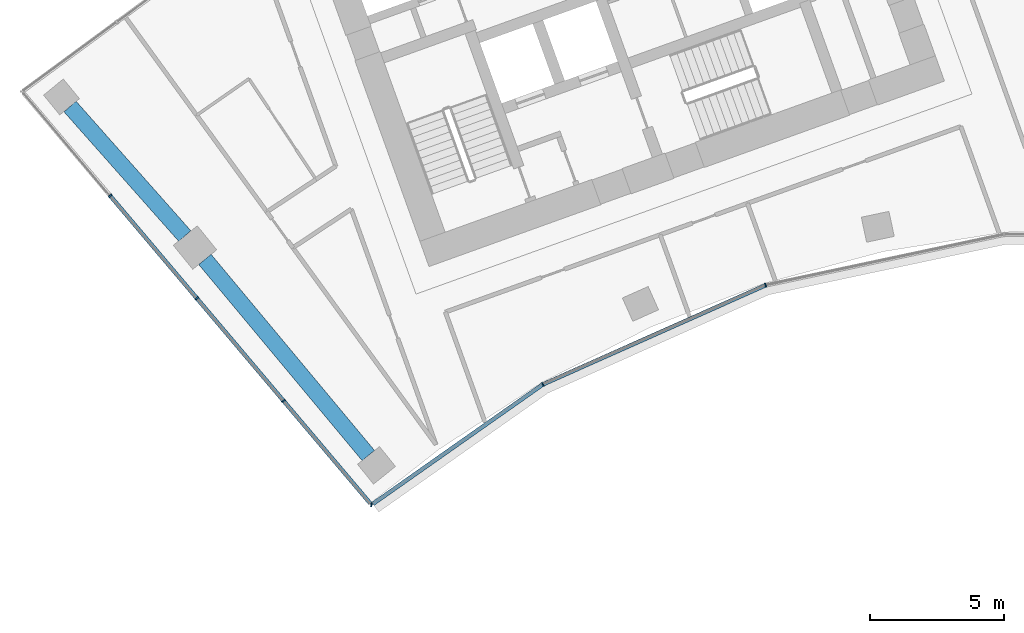
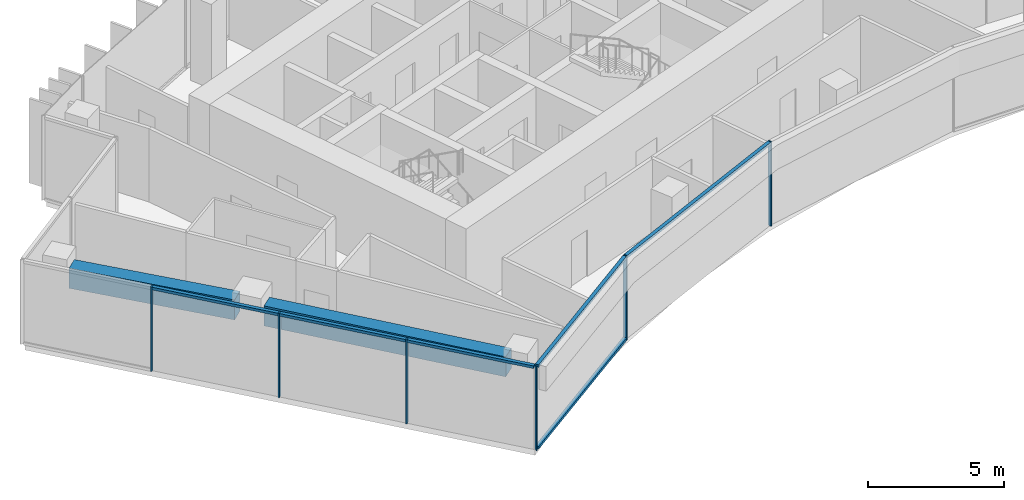
# One storey, part 2 of 19: 12 members, 2 beams, 2 elements without a shape of their own.
"""IFC4 building model written with IfcOpenShell, lengths in metres."""

from ifc_helpers import new_model, si_unit, direction, frame, origin, origin_2d, place, context, subcontext, project, spatial, rectangle, extrude, material, layer, layer_set, material_profile, profile_set, type_object, element, aggregate, save


model = new_model("IFC4")

# Units and contexts
model_context = context("Model", 3, precision=1e-05, world=origin(), true_north=direction((0.0, 1.0)))
body_context = subcontext(model_context, "Body", "Model", "MODEL_VIEW")
ifc_project = project(units=[si_unit("LENGTHUNIT", "METRE"), si_unit("AREAUNIT", "SQUARE_METRE"), si_unit("VOLUMEUNIT", "CUBIC_METRE"), si_unit("PLANEANGLEUNIT", "RADIAN"), si_unit("MASSUNIT", "GRAM", prefix="KILO")], contexts=[model_context])

# Site, building, storey
site_placement = place(None, origin())
site = spatial("IfcSite", under=ifc_project, at=site_placement, CompositionType="ELEMENT")
building_placement = place(site_placement, origin())
building = spatial("IfcBuilding", under=site, at=building_placement, Name="Stone Belt Terrace Tower", CompositionType="ELEMENT")
storey_placement = place(building_placement, frame((0.0, 0.0, 246.60009765625)))
storey = spatial("IfcBuildingStorey", under=building, at=storey_placement, Name="L60", CompositionType="ELEMENT", Elevation=246.60009765625)

# Curtain wall, members
ifc_material_1 = material(Name="Aluminium 6063-T6 anodised frame", Category="aluminium")
ifc_layer_1 = layer(ifc_material_1, 0.14990234375)
ifc_layer_set_1 = layer_set([ifc_layer_1], Name="CW-B unitised concave-face curtain wall")
curtain_wall_type_1 = type_object("IfcCurtainWallType", Name="CW-B unitised concave-face curtain wall", PredefinedType="NOTDEFINED", material=ifc_layer_set_1)
curtain_wall_1_placement = place(storey_placement, origin())
curtain_wall_1 = element("IfcCurtainWall", 1, at=curtain_wall_1_placement, inside=storey, type_object=curtain_wall_type_1, Name="CW-B concave face L60", PredefinedType="NOTDEFINED")
ifc_material_profile_1 = material_profile(ifc_material_1, rectangle(XDim=0.14990234375, YDim=0.050048828125, at=origin_2d()), Name="Aluminium 6063-T6 50x150")
ifc_profile_set_1 = profile_set([ifc_material_profile_1], Name="Aluminium 6063-T6 anodised frame")
member_type_1 = type_object("IfcMemberType", Name="CW-B mullion 50 x 150", PredefinedType="MULLION", material=ifc_profile_set_1)
member_1_placement = place(storey_placement, frame((-28.096923828125, 33.118896484375, 0.0), z_axis=(0.0, 0.0, 1.0), x_axis=(0.12778448981, 0.991801958137, 0.0)))
member_1 = element("IfcMember", 2, at=member_1_placement, type_object=member_type_1, Name="CW-B mullion 1", PredefinedType="MULLION", context=body_context, shape_type="SweptSolid", body=[
    extrude(rectangle(XDim=0.14990234375, YDim=0.050048828125, at=origin_2d()), origin(), (0.0, 0.0, 1.0), 3.7998046875),
])
member_2_placement = place(storey_placement, frame((-21.712890625, 37.6064453125, 0.0), z_axis=(0.0, 0.0, 1.0), x_axis=(-0.493225488301, 0.869901498843, 0.0)))
member_2 = element("IfcMember", 3, at=member_2_placement, type_object=member_type_1, Name="CW-B mullion 2", PredefinedType="MULLION", context=body_context, shape_type="SweptSolid", body=[
    extrude(rectangle(XDim=0.14990234375, YDim=0.050048828125, at=origin_2d()), origin(), (0.0, 0.0, 1.0), 3.7998046875),
])
member_3_placement = place(storey_placement, frame((-13.4189453125, 41.29931640625, 0.0), z_axis=(0.0, 0.0, 1.0), x_axis=(-0.309016994375, 0.951056516295, 0.0)))
member_3 = element("IfcMember", 4, at=member_3_placement, type_object=member_type_1, Name="CW-B mullion 3", PredefinedType="MULLION", context=body_context, shape_type="SweptSolid", body=[
    extrude(rectangle(XDim=0.14990234375, YDim=0.050048828125, at=origin_2d()), origin(), (0.0, 0.0, 1.0), 3.7998046875),
])
ifc_material_profile_2 = material_profile(ifc_material_1, rectangle(XDim=0.14990234375, YDim=0.1201171875, at=origin_2d()), Name="Aluminium 6063-T6 150x120")
ifc_profile_set_2 = profile_set([ifc_material_profile_2], Name="Aluminium 6063-T6 anodised frame")
member_type_2 = type_object("IfcMemberType", Name="CW-B transom 120 x 150", PredefinedType="USERDEFINED", material=ifc_profile_set_2)
member_4_placement = place(storey_placement, frame((-28.040283203125, 33.158447265625, 0.059814453125), z_axis=(0.818083682227, 0.57509919916, 0.0), x_axis=(-0.57509919916, 0.818083682227, 0.0)))
member_4 = element("IfcMember", 5, at=member_4_placement, type_object=member_type_2, Name="CW-B transom 1.1", ObjectType="TRANSOM", PredefinedType="USERDEFINED", context=body_context, shape_type="SweptSolid", body=[
    extrude(rectangle(XDim=0.14990234375, YDim=0.1201171875, at=origin_2d()), origin(), (0.0, 0.0, 1.0), 7.702392578125),
])
member_5_placement = place(storey_placement, frame((-28.040283203125, 33.158447265625, 3.739990234375), z_axis=(0.818083682227, 0.57509919916, 0.0), x_axis=(-0.57509919916, 0.818083682227, 0.0)))
member_5 = element("IfcMember", 6, at=member_5_placement, type_object=member_type_2, Name="CW-B transom 1.2", ObjectType="TRANSOM", PredefinedType="USERDEFINED", context=body_context, shape_type="SweptSolid", body=[
    extrude(rectangle(XDim=0.14990234375, YDim=0.1201171875, at=origin_2d()), origin(), (0.0, 0.0, 1.0), 7.702392578125),
])
member_6_placement = place(storey_placement, frame((-21.68359375, 37.61962890625, 3.739990234375), z_axis=(0.913551129037, 0.406723904677, 0.0), x_axis=(-0.406723904677, 0.913551129037, 0.0)))
member_6 = element("IfcMember", 7, at=member_6_placement, type_object=member_type_2, Name="CW-B transom 2.1", ObjectType="TRANSOM", PredefinedType="USERDEFINED", context=body_context, shape_type="SweptSolid", body=[
    extrude(rectangle(XDim=0.14990234375, YDim=0.1201171875, at=origin_2d()), origin(), (0.0, 0.0, 1.0), 9.01416015625),
])
aggregate(curtain_wall_1, [member_1, member_2, member_3, member_4, member_5, member_6])

ifc_layer_2 = layer(ifc_material_1, 0.14990234375)
ifc_layer_set_2 = layer_set([ifc_layer_2], Name="CW-C stick curtain wall, horn ends and notches")
curtain_wall_type_2 = type_object("IfcCurtainWallType", Name="CW-C stick curtain wall, horn ends and notches", PredefinedType="NOTDEFINED", material=ifc_layer_set_2)
curtain_wall_2_placement = place(storey_placement, origin())
curtain_wall_2 = element("IfcCurtainWall", 8, at=curtain_wall_2_placement, inside=storey, type_object=curtain_wall_type_2, Name="CW-C end face L60", PredefinedType="NOTDEFINED")
ifc_material_profile_3 = material_profile(ifc_material_1, rectangle(XDim=0.14990234375, YDim=0.06005859375, at=origin_2d()), Name="Aluminium 6063-T6 60x150")
ifc_profile_set_3 = profile_set([ifc_material_profile_3], Name="Aluminium 6063-T6 anodised frame")
member_type_3 = type_object("IfcMemberType", Name="CW-C mullion 60 x 150", PredefinedType="MULLION", material=ifc_profile_set_3)
member_7_placement = place(storey_placement, frame((-37.8251953125, 44.626220703125, 0.0), z_axis=(0.0, 0.0, 1.0), x_axis=(0.763669618839, 0.645607243812, 0.0)))
member_7 = element("IfcMember", 9, at=member_7_placement, type_object=member_type_3, Name="CW-C mullion 2", PredefinedType="MULLION", context=body_context, shape_type="SweptSolid", body=[
    extrude(rectangle(XDim=0.14990234375, YDim=0.06005859375, at=origin_2d()), origin(), (0.0, 0.0, 1.0), 3.7998046875),
])
member_8_placement = place(storey_placement, frame((-34.59716796875, 40.807861328125, 0.0), z_axis=(0.0, 0.0, 1.0), x_axis=(0.763669618839, 0.645607243812, 0.0)))
member_8 = element("IfcMember", 10, at=member_8_placement, type_object=member_type_3, Name="CW-C mullion 3", PredefinedType="MULLION", context=body_context, shape_type="SweptSolid", body=[
    extrude(rectangle(XDim=0.14990234375, YDim=0.06005859375, at=origin_2d()), origin(), (0.0, 0.0, 1.0), 3.7998046875),
])
member_9_placement = place(storey_placement, frame((-31.369140625, 36.989501953125, 0.0), z_axis=(0.0, 0.0, 1.0), x_axis=(0.763669618839, 0.645607243812, 0.0)))
member_9 = element("IfcMember", 11, at=member_9_placement, type_object=member_type_3, Name="CW-C mullion 4", PredefinedType="MULLION", context=body_context, shape_type="SweptSolid", body=[
    extrude(rectangle(XDim=0.14990234375, YDim=0.06005859375, at=origin_2d()), origin(), (0.0, 0.0, 1.0), 3.7998046875),
])
ifc_material_profile_4 = material_profile(ifc_material_1, rectangle(XDim=0.14990234375, YDim=0.1201171875, at=origin_2d()), Name="Aluminium 6063-T6 150x120")
ifc_profile_set_4 = profile_set([ifc_material_profile_4], Name="Aluminium 6063-T6 anodised frame")
member_type_4 = type_object("IfcMemberType", Name="CW-C transom 120 x 150", PredefinedType="USERDEFINED", material=ifc_profile_set_4)
member_10_placement = place(storey_placement, frame((-37.805908203125, 44.603271484375, 3.739990234375), z_axis=(0.645603209133, -0.763673029743, 0.0), x_axis=(0.763673029743, 0.645603209133, 0.0)))
member_10 = element("IfcMember", 12, at=member_10_placement, type_object=member_type_4, Name="CW-C transom 2.1", ObjectType="TRANSOM", PredefinedType="USERDEFINED", context=body_context, shape_type="SweptSolid", body=[
    extrude(rectangle(XDim=0.14990234375, YDim=0.1201171875, at=origin_2d()), origin(), (0.0, 0.0, 1.0), 4.93994140625),
])
member_11_placement = place(storey_placement, frame((-34.577880859375, 40.784912109375, 3.739990234375), z_axis=(0.645603209133, -0.763673029743, 0.0), x_axis=(0.763673029743, 0.645603209133, 0.0)))
member_11 = element("IfcMember", 13, at=member_11_placement, type_object=member_type_4, Name="CW-C transom 3.1", ObjectType="TRANSOM", PredefinedType="USERDEFINED", context=body_context, shape_type="SweptSolid", body=[
    extrude(rectangle(XDim=0.14990234375, YDim=0.1201171875, at=origin_2d()), origin(), (0.0, 0.0, 1.0), 4.93994140625),
])
member_12_placement = place(storey_placement, frame((-31.349853515625, 36.966552734375, 3.739990234375), z_axis=(0.645618211215, -0.763660346848, 0.0), x_axis=(0.763660346848, 0.645618211215, 0.0)))
member_12 = element("IfcMember", 14, at=member_12_placement, type_object=member_type_4, Name="CW-C transom 4.1", ObjectType="TRANSOM", PredefinedType="USERDEFINED", context=body_context, shape_type="SweptSolid", body=[
    extrude(rectangle(XDim=0.14990234375, YDim=0.1201171875, at=origin_2d()), origin(), (0.0, 0.0, 1.0), 4.9658203125),
])
aggregate(curtain_wall_2, [member_7, member_8, member_9, member_10, member_11, member_12])

# Beams
ifc_material_2 = material(Name="Concrete B60", Category="concrete")
ifc_material_profile_5 = material_profile(ifc_material_2, rectangle(XDim=0.60009765625, YDim=0.89990234375, at=origin_2d()), Name="RC 600x900")
ifc_profile_set_5 = profile_set([ifc_material_profile_5], Name="Concrete B60")
beam_type = type_object("IfcBeamType", Name="Edge beam RC 600x900 B60", PredefinedType="SPANDREL", material=ifc_profile_set_5)
beam_1_placement = place(storey_placement, frame((-28.211669921875, 34.955810546875, 2.849853515625), z_axis=(-0.640174294825, 0.768229700185, 0.0), x_axis=(-0.768229700185, -0.640174294825, 0.0)))
element("IfcBeam", 15, at=beam_1_placement, inside=storey, type_object=beam_type, Name="Edge beam L60 A P to Q", PredefinedType="SPANDREL", context=body_context, shape_type="SweptSolid", body=[
    extrude(rectangle(XDim=0.60009765625, YDim=0.89990234375, at=origin_2d()), origin(), (0.0, 0.0, 1.0), 9.505859375),
])
beam_2_placement = place(storey_placement, frame((-35.046875, 43.131103515625, 2.849853515625), z_axis=(-0.663260257575, 0.748388823221, 0.0), x_axis=(-0.748388823221, -0.663260257575, 0.0)))
element("IfcBeam", 16, at=beam_2_placement, inside=storey, type_object=beam_type, Name="Edge beam L60 A Q to R", PredefinedType="SPANDREL", context=body_context, shape_type="SweptSolid", body=[
    extrude(rectangle(XDim=0.60009765625, YDim=0.89990234375, at=origin_2d()), origin(), (0.0, 0.0, 1.0), 6.444091796875),
])

save(model, "model.ifc")
